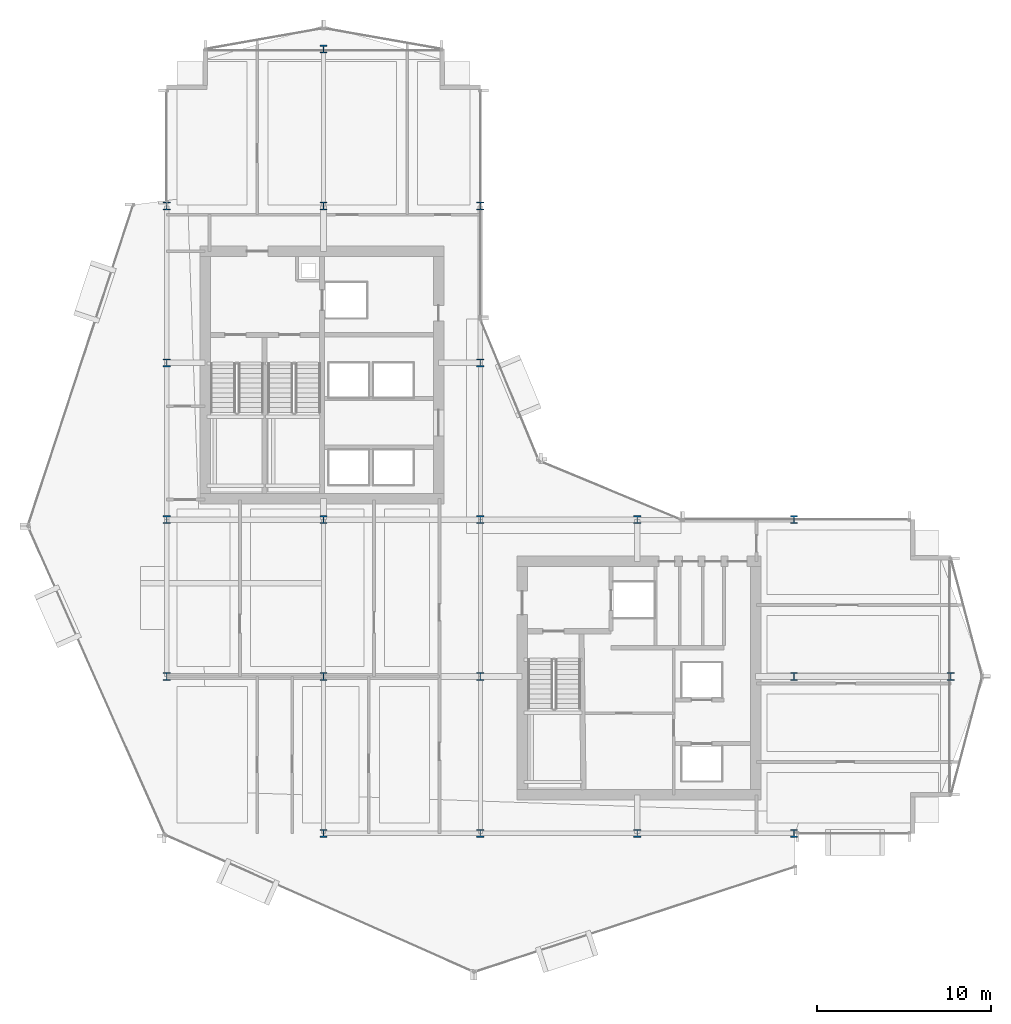
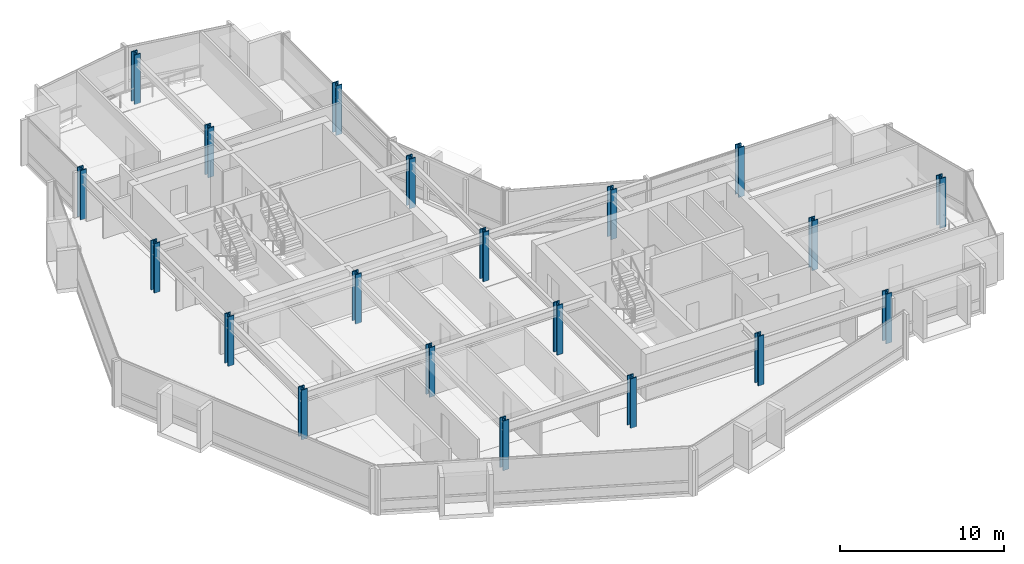
# One storey, part 1 of 29: 20 columns.
"""IFC4 building model written with IfcOpenShell, lengths in metres."""

from ifc_helpers import new_model, si_unit, direction, frame, origin, origin_2d, place, context, subcontext, project, spatial, i_section, extrude, material, material_profile, profile_set, type_object, element, save


model = new_model("IFC4")

# Units and contexts
model_context = context("Model", 3, precision=1e-05, world=origin(), true_north=direction((0.0, 1.0)))
body_context = subcontext(model_context, "Body", "Model", "MODEL_VIEW")
ifc_project = project(units=[si_unit("LENGTHUNIT", "METRE"), si_unit("AREAUNIT", "SQUARE_METRE"), si_unit("VOLUMEUNIT", "CUBIC_METRE"), si_unit("PLANEANGLEUNIT", "RADIAN"), si_unit("MASSUNIT", "GRAM", prefix="KILO")], contexts=[model_context])

# Site, building, storey
site_placement = place(None, origin())
site = spatial("IfcSite", under=ifc_project, at=site_placement, CompositionType="ELEMENT")
building_placement = place(site_placement, origin())
building = spatial("IfcBuilding", under=site, at=building_placement, Name="Solvaryn Broadcast Tower", CompositionType="ELEMENT")
storey_placement = place(building_placement, frame((0.0, 0.0, 121.10009765625)))
storey = spatial("IfcBuildingStorey", under=building, at=storey_placement, Name="L29", CompositionType="ELEMENT", Elevation=121.10009765625)

# Columns
ifc_material_1 = material(Name="Steel ASTM A913 Grade 65", Category="steel")
ifc_material_profile_1 = material_profile(ifc_material_1, i_section(OverallWidth=0.41796875, OverallDepth=0.455078125, WebThickness=0.0419921875, FlangeThickness=0.067626953125, FilletRadius=0.014892578125, at=origin_2d()))
ifc_profile_set_1 = profile_set([ifc_material_profile_1], Name="Steel ASTM A913 Grade 65")
column_type_1 = type_object("IfcColumnType", Name="COL-C05E-W14X370", PredefinedType="COLUMN", material=ifc_profile_set_1)
for number, where, z_axis, x_axis, name in (
    (1, (9.0, 18.0, 0.0), (0.0, 0.0, 1.0), (1.0, 0.0, 0.0), "L29 Column (9.0, 18.0)"),
    (2, (9.0, 27.0, 0.0), (0.0, 0.0, 1.0), (1.0, 0.0, 0.0), "L29 Column (9.0, 27.0)"),
    (3, (9.0, 36.0, 0.0), (0.0, 0.0, 1.0), (1.0, 0.0, 0.0), "L29 Column (9.0, 36.0)"),
    (4, (9.0, 45.0, 0.0), (0.0, 0.0, 1.0), (1.0, 0.0, 0.0), "L29 Column (9.0, 45.0)"),
    (5, (18.0, 9.0, 0.0), (0.0, 0.0, 1.0), (1.0, 0.0, 0.0), "L29 Column (18.0, 9.0)"),
    (6, (18.0, 54.0, 0.0), (0.0, 0.0, 1.0), (1.0, 0.0, 0.0), "L29 Column (18.0, 54.0)"),
    (7, (27.0, 9.0, 0.0), (0.0, 0.0, 1.0), (1.0, 0.0, 0.0), "L29 Column (27.0, 9.0)"),
    (8, (27.0, 36.0, 0.0), (0.0, 0.0, 1.0), (1.0, 0.0, 0.0), "L29 Column (27.0, 36.0)"),
    (9, (27.0, 45.0, 0.0), (0.0, 0.0, 1.0), (1.0, 0.0, 0.0), "L29 Column (27.0, 45.0)"),
    (10, (36.0, 9.0, 0.0), (0.0, 0.0, 1.0), (1.0, 0.0, 0.0), "L29 Column (36.0, 9.0)"),
    (11, (36.0, 27.0, 0.0), (0.0, 0.0, 1.0), (1.0, 0.0, 0.0), "L29 Column (36.0, 27.0)"),
    (12, (45.0, 9.0, 0.0), (0.0, 0.0, 1.0), (1.0, 0.0, 0.0), "L29 Column (45.0, 9.0)"),
    (13, (45.0, 27.0, 0.0), (0.0, 0.0, 1.0), (1.0, 0.0, 0.0), "L29 Column (45.0, 27.0)"),
    (14, (54.0, 18.0, 0.0), (0.0, 0.0, 1.0), (1.0, 0.0, 0.0), "L29 Column (54.0, 18.0)"),
):
    element("IfcColumn", number, at=place(storey_placement, frame(where, z_axis=z_axis, x_axis=x_axis)), inside=storey, type_object=column_type_1, Name=name, PredefinedType="COLUMN", context=body_context, shape_type="SweptSolid", body=[
        extrude(i_section(OverallWidth=0.41796875, OverallDepth=0.455078125, WebThickness=0.0419921875, FlangeThickness=0.067626953125, FilletRadius=0.014892578125, at=origin_2d()), origin(), (0.0, 0.0, 1.0), 3.699951171875),
    ])
ifc_material_2 = material(Name="Steel ASTM A913 Grade 65", Category="steel")
ifc_material_profile_2 = material_profile(ifc_material_2, i_section(OverallWidth=0.41796875, OverallDepth=0.455078125, WebThickness=0.0419921875, FlangeThickness=0.067626953125, FilletRadius=0.014892578125, at=origin_2d()))
ifc_profile_set_2 = profile_set([ifc_material_profile_2], Name="Steel ASTM A913 Grade 65")
column_type_2 = type_object("IfcColumnType", Name="COL-C05I-W14X370", PredefinedType="COLUMN", material=ifc_profile_set_2)
for number, where, z_axis, x_axis, name in (
    (15, (18.0, 18.0, 0.0), (0.0, 0.0, 1.0), (1.0, 0.0, 0.0), "L29 Column (18.0, 18.0)"),
    (16, (18.0, 27.0, 0.0), (0.0, 0.0, 1.0), (1.0, 0.0, 0.0), "L29 Column (18.0, 27.0)"),
    (17, (18.0, 45.0, 0.0), (0.0, 0.0, 1.0), (1.0, 0.0, 0.0), "L29 Column (18.0, 45.0)"),
    (18, (27.0, 18.0, 0.0), (0.0, 0.0, 1.0), (1.0, 0.0, 0.0), "L29 Column (27.0, 18.0)"),
    (19, (27.0, 27.0, 0.0), (0.0, 0.0, 1.0), (1.0, 0.0, 0.0), "L29 Column (27.0, 27.0)"),
    (20, (45.0, 18.0, 0.0), (0.0, 0.0, 1.0), (1.0, 0.0, 0.0), "L29 Column (45.0, 18.0)"),
):
    element("IfcColumn", number, at=place(storey_placement, frame(where, z_axis=z_axis, x_axis=x_axis)), inside=storey, type_object=column_type_2, Name=name, PredefinedType="COLUMN", context=body_context, shape_type="SweptSolid", body=[
        extrude(i_section(OverallWidth=0.41796875, OverallDepth=0.455078125, WebThickness=0.0419921875, FlangeThickness=0.067626953125, FilletRadius=0.014892578125, at=origin_2d()), origin(), (0.0, 0.0, 1.0), 3.699951171875),
    ])

save(model, "model.ifc")
